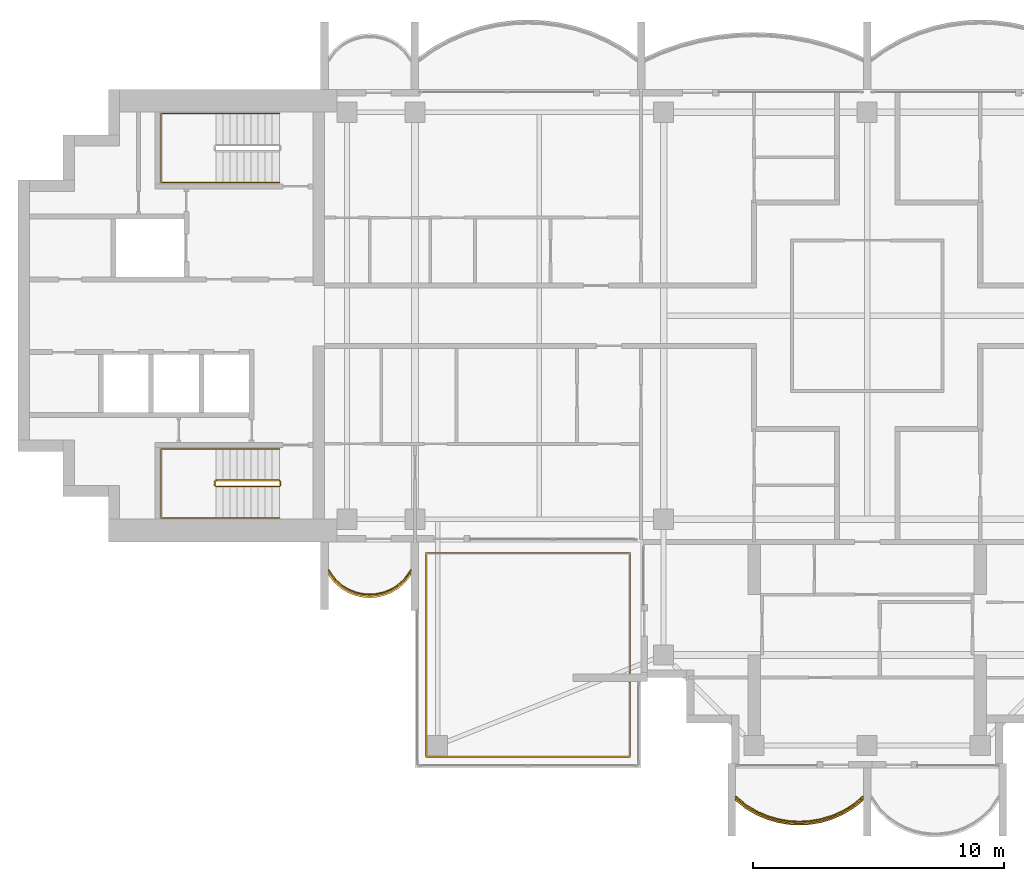
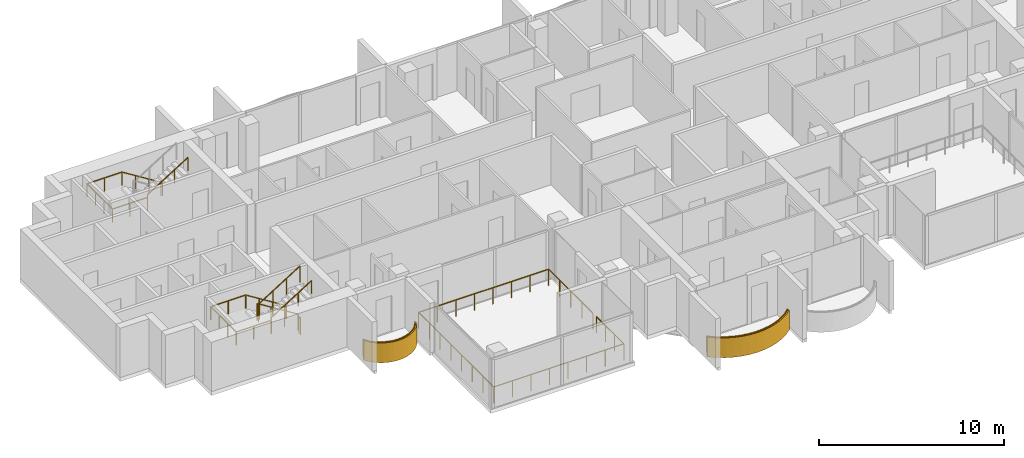
# One storey, part 13 of 16: 6 railings, 2 coverings.
"""IFC4 building model written with IfcOpenShell, lengths in metres."""

from ifc_helpers import new_model, si_unit, direction, frame, origin, origin_2d, place, context, subcontext, project, spatial, polyline, rectangle, outline, extrude, material, layer, layer_set, type_object, element, save


model = new_model("IFC4")

# Units and contexts
model_context = context("Model", 3, precision=1e-05, world=origin(), true_north=direction((0.0, 1.0)))
body_context = subcontext(model_context, "Body", "Model", "MODEL_VIEW")
ifc_project = project(units=[si_unit("LENGTHUNIT", "METRE"), si_unit("AREAUNIT", "SQUARE_METRE"), si_unit("VOLUMEUNIT", "CUBIC_METRE"), si_unit("PLANEANGLEUNIT", "RADIAN"), si_unit("MASSUNIT", "GRAM", prefix="KILO")], contexts=[model_context])

# Site, building, storey
site_placement = place(None, origin())
site = spatial("IfcSite", under=ifc_project, at=site_placement, CompositionType="ELEMENT")
building_placement = place(site_placement, origin())
building = spatial("IfcBuilding", under=site, at=building_placement, Name="Perihelion Cross Residences", CompositionType="ELEMENT")
storey_placement = place(building_placement, frame((0.0, 0.0, 243.0)))
storey = spatial("IfcBuildingStorey", under=building, at=storey_placement, Name="L61", CompositionType="ELEMENT", Elevation=243.0)

# Coverings
ifc_material_1 = material(Name="Bronze anodised aluminium", Category="aluminium")
ifc_layer = layer(ifc_material_1, 0.070068359375)
ifc_layer_set = layer_set([ifc_layer], Name="Balcony fascia 1300")
covering_type = type_object("IfcCoveringType", Name="Balcony fascia 1300", PredefinedType="CLADDING", material=ifc_layer_set)
covering_1_placement = place(storey_placement, frame((0.0, 0.0, -0.199951171875)))
element("IfcCovering", 1, at=covering_1_placement, inside=storey, type_object=covering_type, Name="Fascia BF1 L61 west side south bay 1", PredefinedType="CLADDING", context=body_context, shape_type="SweptSolid", body=[
    extrude(outline(polyline([(-21.226318359375, -10.616455078125), (-20.94091796875, -10.86328125), (-20.655517578125, -11.031494140625), (-20.370361328125, -11.142578125), (-20.085205078125, -11.206298828125), (-19.800048828125, -11.22705078125), (-19.514892578125, -11.206298828125), (-19.229736328125, -11.142578125), (-18.9443359375, -11.031494140625), (-18.6591796875, -10.86328125), (-18.373779296875, -10.616455078125), (-18.14990234375, -10.31689453125), (-18.14990234375, -10.199951171875), (-18.425048828125, -10.568603515625), (-18.699951171875, -10.806396484375), (-18.97509765625, -10.96875), (-19.25, -11.07568359375), (-19.52490234375, -11.136962890625), (-19.800048828125, -11.156982421875), (-20.074951171875, -11.136962890625), (-20.35009765625, -11.07568359375), (-20.625, -10.96875), (-20.89990234375, -10.806396484375), (-21.175048828125, -10.568603515625), (-21.449951171875, -10.199951171875), (-21.449951171875, -10.31689453125), (-21.226318359375, -10.616455078125)])), origin(), (0.0, 0.0, 1.0), 1.300048828125),
])
covering_2_placement = place(storey_placement, frame((0.0, 0.0, -0.199951171875)))
element("IfcCovering", 2, at=covering_2_placement, inside=storey, type_object=covering_type, Name="Fascia BF1 L61 south tip south bay 1", PredefinedType="CLADDING", context=body_context, shape_type="SweptSolid", body=[
    extrude(outline(polyline([(-4.86474609375, -19.59765625), (-4.431884765625, -19.85498046875), (-3.998779296875, -20.04248046875), (-3.56591796875, -20.170654296875), (-3.133056640625, -20.245361328125), (-2.699951171875, -20.27001953125), (-2.26708984375, -20.245361328125), (-1.833984375, -20.170654296875), (-1.401123046875, -20.04248046875), (-0.96826171875, -19.85498046875), (-0.53515625, -19.59765625), (-0.14990234375, -19.28955078125), (-0.14990234375, -19.199951171875), (-0.574951171875, -19.5400390625), (-1.0, -19.792724609375), (-1.425048828125, -19.9765625), (-1.85009765625, -20.1025390625), (-2.27490234375, -20.17578125), (-2.699951171875, -20.199951171875), (-3.125, -20.17578125), (-3.550048828125, -20.1025390625), (-3.97509765625, -19.9765625), (-4.39990234375, -19.792724609375), (-4.824951171875, -19.5400390625), (-5.25, -19.199951171875), (-5.25, -19.28955078125), (-4.86474609375, -19.59765625)])), origin(), (0.0, 0.0, 1.0), 1.300048828125),
])

# Railings
ifc_material_2 = material(Name="Bronze anodised aluminium", Category="aluminium")
railing_type_1 = type_object("IfcRailingType", Name="Balcony guard 1100", PredefinedType="GUARDRAIL", material=ifc_material_2)
railing_1_placement = place(storey_placement, frame((-21.425048828125, -10.139892578125, 0.0)))
element("IfcRailing", 3, at=railing_1_placement, inside=storey, type_object=railing_type_1, Name="Guard GU1 L61 west side south bay 1 balcony", PredefinedType="GUARDRAIL", context=body_context, shape_type="SweptSolid", body=[
    extrude(rectangle(XDim=0.048095703125, YDim=0.048095703125, at=origin_2d()), frame((0.0, 0.0, 1.076171875), z_axis=(0.561260132269, -0.827639452857, 0.0), x_axis=(0.827639452857, 0.561260132269, 0.0)), (0.0, 0.0, 1.0), 0.4453125),
    extrude(rectangle(XDim=0.048095703125, YDim=0.048095703125, at=origin_2d()), frame((0.25, -0.36865234375, 1.076171875), z_axis=(0.756596535164, -0.653882009982, 0.0), x_axis=(0.653882009982, 0.756596535164, 0.0)), (0.0, 0.0, 1.0), 0.36376953125),
    extrude(rectangle(XDim=0.048095703125, YDim=0.048095703125, at=origin_2d()), frame((0.525146484375, -0.6064453125, 1.076171875), z_axis=(0.861048292884, -0.508523192511, 0.0), x_axis=(0.508523192511, 0.861048292884, 0.0)), (0.0, 0.0, 1.0), 0.3193359375),
    extrude(rectangle(XDim=0.048095703125, YDim=0.048095703125, at=origin_2d()), frame((0.800048828125, -0.768798828125, 1.076171875), z_axis=(0.931973602183, -0.362526143656, 0.0), x_axis=(0.362526143656, 0.931973602183, 0.0)), (0.0, 0.0, 1.0), 0.294921875),
    extrude(rectangle(XDim=0.048095703125, YDim=0.048095703125, at=origin_2d()), frame((1.074951171875, -0.875732421875, 1.076171875), z_axis=(0.976085059389, -0.21738895289, 0.0), x_axis=(0.21738895289, 0.976085059389, 0.0)), (0.0, 0.0, 1.0), 0.281982421875),
    extrude(rectangle(XDim=0.048095703125, YDim=0.048095703125, at=origin_2d()), frame((1.35009765625, -0.93701171875, 1.076171875), z_axis=(0.997358821833, -0.072631814734, 0.0), x_axis=(0.072631814734, 0.997358821833, 0.0)), (0.0, 0.0, 1.0), 0.275634765625),
    extrude(rectangle(XDim=0.048095703125, YDim=0.048095703125, at=origin_2d()), frame((1.625, -0.95703125, 1.076171875), z_axis=(0.997363488337, 0.072567707226, 0.0), x_axis=(-0.072567707226, 0.997363488337, 0.0)), (0.0, 0.0, 1.0), 0.27587890625),
    extrude(rectangle(XDim=0.048095703125, YDim=0.048095703125, at=origin_2d()), frame((1.900146484375, -0.93701171875, 1.076171875), z_axis=(0.976044077717, 0.217572880557, 0.0), x_axis=(-0.217572880557, 0.976044077717, 0.0)), (0.0, 0.0, 1.0), 0.28173828125),
    extrude(rectangle(XDim=0.048095703125, YDim=0.048095703125, at=origin_2d()), frame((2.175048828125, -0.875732421875, 1.076171875), z_axis=(0.931973602183, 0.362526143656, 0.0), x_axis=(-0.362526143656, 0.931973602183, 0.0)), (0.0, 0.0, 1.0), 0.294921875),
    extrude(rectangle(XDim=0.048095703125, YDim=0.048095703125, at=origin_2d()), frame((2.449951171875, -0.768798828125, 1.076171875), z_axis=(0.861245845072, 0.508188542123, 0.0), x_axis=(-0.508188542123, 0.861245845072, 0.0)), (0.0, 0.0, 1.0), 0.319580078125),
    extrude(rectangle(XDim=0.048095703125, YDim=0.048095703125, at=origin_2d()), frame((2.72509765625, -0.6064453125, 1.076171875), z_axis=(0.756309278473, 0.654214242658, 0.0), x_axis=(-0.654214242658, 0.756309278473, 0.0)), (0.0, 0.0, 1.0), 0.363525390625),
    extrude(rectangle(XDim=0.048095703125, YDim=0.048095703125, at=origin_2d()), frame((3.0, -0.36865234375, 1.076171875), z_axis=(0.561260132269, 0.827639452857, 0.0), x_axis=(-0.827639452857, 0.561260132269, 0.0)), (0.0, 0.0, 1.0), 0.4453125),
    extrude(rectangle(XDim=0.0419921875, YDim=0.0419921875, at=origin_2d()), origin(), (0.0, 0.0, 1.0), 1.052001953125),
    extrude(rectangle(XDim=0.0419921875, YDim=0.0419921875, at=origin_2d()), frame((0.25, -0.36865234375, 0.0)), (0.0, 0.0, 1.0), 1.052001953125),
    extrude(rectangle(XDim=0.0419921875, YDim=0.0419921875, at=origin_2d()), frame((0.525146484375, -0.6064453125, 0.0)), (0.0, 0.0, 1.0), 1.052001953125),
    extrude(rectangle(XDim=0.0419921875, YDim=0.0419921875, at=origin_2d()), frame((0.800048828125, -0.768798828125, 0.0)), (0.0, 0.0, 1.0), 1.052001953125),
    extrude(rectangle(XDim=0.0419921875, YDim=0.0419921875, at=origin_2d()), frame((1.074951171875, -0.875732421875, 0.0)), (0.0, 0.0, 1.0), 1.052001953125),
    extrude(rectangle(XDim=0.0419921875, YDim=0.0419921875, at=origin_2d()), frame((1.35009765625, -0.93701171875, 0.0)), (0.0, 0.0, 1.0), 1.052001953125),
    extrude(rectangle(XDim=0.0419921875, YDim=0.0419921875, at=origin_2d()), frame((1.625, -0.95703125, 0.0)), (0.0, 0.0, 1.0), 1.052001953125),
    extrude(rectangle(XDim=0.0419921875, YDim=0.0419921875, at=origin_2d()), frame((1.900146484375, -0.93701171875, 0.0)), (0.0, 0.0, 1.0), 1.052001953125),
    extrude(rectangle(XDim=0.0419921875, YDim=0.0419921875, at=origin_2d()), frame((2.175048828125, -0.875732421875, 0.0)), (0.0, 0.0, 1.0), 1.052001953125),
    extrude(rectangle(XDim=0.0419921875, YDim=0.0419921875, at=origin_2d()), frame((2.449951171875, -0.768798828125, 0.0)), (0.0, 0.0, 1.0), 1.052001953125),
    extrude(rectangle(XDim=0.0419921875, YDim=0.0419921875, at=origin_2d()), frame((2.72509765625, -0.6064453125, 0.0)), (0.0, 0.0, 1.0), 1.052001953125),
    extrude(rectangle(XDim=0.0419921875, YDim=0.0419921875, at=origin_2d()), frame((3.0, -0.36865234375, 0.0)), (0.0, 0.0, 1.0), 1.052001953125),
    extrude(rectangle(XDim=0.0419921875, YDim=0.0419921875, at=origin_2d()), frame((3.25, 0.0, 0.0)), (0.0, 0.0, 1.0), 1.052001953125),
])
railing_2_placement = place(storey_placement, frame((-5.22509765625, -19.139892578125, 0.0)))
element("IfcRailing", 4, at=railing_2_placement, inside=storey, type_object=railing_type_1, Name="Guard GU1 L61 south tip south bay 1 balcony", PredefinedType="GUARDRAIL", context=body_context, shape_type="SweptSolid", body=[
    extrude(rectangle(XDim=0.048095703125, YDim=0.048095703125, at=origin_2d()), frame((0.0, 0.0, 1.076171875), z_axis=(0.761973728849, -0.647607934281, 0.0), x_axis=(0.647607934281, 0.761973728849, 0.0)), (0.0, 0.0, 1.0), 0.525146484375),
    extrude(rectangle(XDim=0.048095703125, YDim=0.048095703125, at=origin_2d()), frame((0.400146484375, -0.340087890625, 1.076171875), z_axis=(0.859576918062, -0.511006381501, 0.0), x_axis=(0.511006381501, 0.859576918062, 0.0)), (0.0, 0.0, 1.0), 0.494384765625),
    extrude(rectangle(XDim=0.048095703125, YDim=0.048095703125, at=origin_2d()), frame((0.8251953125, -0.5927734375, 1.076171875), z_axis=(0.91755562531, -0.397607437634, 0.0), x_axis=(0.397607437634, 0.91755562531, 0.0)), (0.0, 0.0, 1.0), 0.462890625),
    extrude(rectangle(XDim=0.048095703125, YDim=0.048095703125, at=origin_2d()), frame((1.25, -0.77685546875, 1.076171875), z_axis=(0.958925815697, -0.283656975924, 0.0), x_axis=(0.283656975924, 0.958925815697, 0.0)), (0.0, 0.0, 1.0), 0.443359375),
    extrude(rectangle(XDim=0.048095703125, YDim=0.048095703125, at=origin_2d()), frame((1.675048828125, -0.902587890625, 1.076171875), z_axis=(0.985381583142, -0.17036177859, 0.0), x_axis=(0.17036177859, 0.985381583142, 0.0)), (0.0, 0.0, 1.0), 0.431396484375),
    extrude(rectangle(XDim=0.048095703125, YDim=0.048095703125, at=origin_2d()), frame((2.10009765625, -0.97607421875, 1.076171875), z_axis=(0.9984195016, -0.056200523353, 0.0), x_axis=(0.056200523353, 0.9984195016, 0.0)), (0.0, 0.0, 1.0), 0.42578125),
    extrude(rectangle(XDim=0.048095703125, YDim=0.048095703125, at=origin_2d()), frame((2.525146484375, -1.0, 1.076171875), z_axis=(0.9984195016, 0.056200523353, 0.0), x_axis=(-0.056200523353, 0.9984195016, 0.0)), (0.0, 0.0, 1.0), 0.42578125),
    extrude(rectangle(XDim=0.048095703125, YDim=0.048095703125, at=origin_2d()), frame((2.9501953125, -0.97607421875, 1.076171875), z_axis=(0.985365142702, 0.170456843651, 0.0), x_axis=(-0.170456843651, 0.985365142702, 0.0)), (0.0, 0.0, 1.0), 0.43115234375),
    extrude(rectangle(XDim=0.048095703125, YDim=0.048095703125, at=origin_2d()), frame((3.375, -0.902587890625, 1.076171875), z_axis=(0.958925815697, 0.283656975924, 0.0), x_axis=(-0.283656975924, 0.958925815697, 0.0)), (0.0, 0.0, 1.0), 0.443359375),
    extrude(rectangle(XDim=0.048095703125, YDim=0.048095703125, at=origin_2d()), frame((3.800048828125, -0.77685546875, 1.076171875), z_axis=(0.917638931453, 0.397415137459, 0.0), x_axis=(-0.397415137459, 0.917638931453, 0.0)), (0.0, 0.0, 1.0), 0.463134765625),
    extrude(rectangle(XDim=0.048095703125, YDim=0.048095703125, at=origin_2d()), frame((4.22509765625, -0.5927734375, 1.076171875), z_axis=(0.859576918062, 0.511006381501, 0.0), x_axis=(-0.511006381501, 0.859576918062, 0.0)), (0.0, 0.0, 1.0), 0.494384765625),
    extrude(rectangle(XDim=0.048095703125, YDim=0.048095703125, at=origin_2d()), frame((4.650146484375, -0.340087890625, 1.076171875), z_axis=(0.761778647315, 0.647837396648, 0.0), x_axis=(-0.647837396648, 0.761778647315, 0.0)), (0.0, 0.0, 1.0), 0.52490234375),
    extrude(rectangle(XDim=0.0419921875, YDim=0.0419921875, at=origin_2d()), origin(), (0.0, 0.0, 1.0), 1.052001953125),
    extrude(rectangle(XDim=0.0419921875, YDim=0.0419921875, at=origin_2d()), frame((0.400146484375, -0.340087890625, 0.0)), (0.0, 0.0, 1.0), 1.052001953125),
    extrude(rectangle(XDim=0.0419921875, YDim=0.0419921875, at=origin_2d()), frame((0.8251953125, -0.5927734375, 0.0)), (0.0, 0.0, 1.0), 1.052001953125),
    extrude(rectangle(XDim=0.0419921875, YDim=0.0419921875, at=origin_2d()), frame((1.25, -0.77685546875, 0.0)), (0.0, 0.0, 1.0), 1.052001953125),
    extrude(rectangle(XDim=0.0419921875, YDim=0.0419921875, at=origin_2d()), frame((1.675048828125, -0.902587890625, 0.0)), (0.0, 0.0, 1.0), 1.052001953125),
    extrude(rectangle(XDim=0.0419921875, YDim=0.0419921875, at=origin_2d()), frame((2.10009765625, -0.97607421875, 0.0)), (0.0, 0.0, 1.0), 1.052001953125),
    extrude(rectangle(XDim=0.0419921875, YDim=0.0419921875, at=origin_2d()), frame((2.525146484375, -1.0, 0.0)), (0.0, 0.0, 1.0), 1.052001953125),
    extrude(rectangle(XDim=0.0419921875, YDim=0.0419921875, at=origin_2d()), frame((2.9501953125, -0.97607421875, 0.0)), (0.0, 0.0, 1.0), 1.052001953125),
    extrude(rectangle(XDim=0.0419921875, YDim=0.0419921875, at=origin_2d()), frame((3.375, -0.902587890625, 0.0)), (0.0, 0.0, 1.0), 1.052001953125),
    extrude(rectangle(XDim=0.0419921875, YDim=0.0419921875, at=origin_2d()), frame((3.800048828125, -0.77685546875, 0.0)), (0.0, 0.0, 1.0), 1.052001953125),
    extrude(rectangle(XDim=0.0419921875, YDim=0.0419921875, at=origin_2d()), frame((4.22509765625, -0.5927734375, 0.0)), (0.0, 0.0, 1.0), 1.052001953125),
    extrude(rectangle(XDim=0.0419921875, YDim=0.0419921875, at=origin_2d()), frame((4.650146484375, -0.340087890625, 0.0)), (0.0, 0.0, 1.0), 1.052001953125),
    extrude(rectangle(XDim=0.0419921875, YDim=0.0419921875, at=origin_2d()), frame((5.050048828125, 0.0, 0.0)), (0.0, 0.0, 1.0), 1.052001953125),
])
railing_3_placement = place(storey_placement, frame((-9.449951171875, -14.590087890625, 0.0)))
element("IfcRailing", 5, at=railing_3_placement, inside=storey, type_object=railing_type_1, Name="Guard GU1 L61 pocket south-west 1", PredefinedType="GUARDRAIL", context=body_context, shape_type="SweptSolid", body=[
    extrude(rectangle(XDim=0.048095703125, YDim=0.048095703125, at=origin_2d()), frame((0.0, 0.0, 1.076171875), z_axis=(0.0, -1.0, 0.0), x_axis=(1.0, 0.0, 0.0)), (0.0, 0.0, 1.0), 2.9599609375),
    extrude(rectangle(XDim=0.048095703125, YDim=0.048095703125, at=origin_2d()), frame((0.0, -2.9599609375, 1.076171875), z_axis=(-1.0, 0.0, 0.0), x_axis=(0.0, -1.0, 0.0)), (0.0, 0.0, 1.0), 8.10009765625),
    extrude(rectangle(XDim=0.048095703125, YDim=0.048095703125, at=origin_2d()), frame((-8.10009765625, -2.9599609375, 1.076171875), z_axis=(0.0, 1.0, 0.0), x_axis=(-1.0, 0.0, 0.0)), (0.0, 0.0, 1.0), 8.10009765625),
    extrude(rectangle(XDim=0.048095703125, YDim=0.048095703125, at=origin_2d()), frame((-8.10009765625, 5.14013671875, 1.076171875), z_axis=(1.0, 0.0, 0.0), x_axis=(0.0, 1.0, 0.0)), (0.0, 0.0, 1.0), 8.10009765625),
    extrude(rectangle(XDim=0.048095703125, YDim=0.048095703125, at=origin_2d()), frame((0.0, 5.14013671875, 1.076171875), z_axis=(0.0, -1.0, 0.0), x_axis=(1.0, 0.0, 0.0)), (0.0, 0.0, 1.0), 4.760009765625),
    extrude(rectangle(XDim=0.0419921875, YDim=0.0419921875, at=origin_2d()), origin(), (0.0, 0.0, 1.0), 1.052001953125),
    extrude(rectangle(XDim=0.0419921875, YDim=0.0419921875, at=origin_2d()), frame((0.0, -0.986572265625, 0.0)), (0.0, 0.0, 1.0), 1.052001953125),
    extrude(rectangle(XDim=0.0419921875, YDim=0.0419921875, at=origin_2d()), frame((0.0, -1.973388671875, 0.0)), (0.0, 0.0, 1.0), 1.052001953125),
    extrude(rectangle(XDim=0.0419921875, YDim=0.0419921875, at=origin_2d()), frame((0.0, -2.9599609375, 0.0)), (0.0, 0.0, 1.0), 1.052001953125),
    extrude(rectangle(XDim=0.0419921875, YDim=0.0419921875, at=origin_2d()), frame((-1.1572265625, -2.9599609375, 0.0)), (0.0, 0.0, 1.0), 1.052001953125),
    extrude(rectangle(XDim=0.0419921875, YDim=0.0419921875, at=origin_2d()), frame((-2.314208984375, -2.9599609375, 0.0)), (0.0, 0.0, 1.0), 1.052001953125),
    extrude(rectangle(XDim=0.0419921875, YDim=0.0419921875, at=origin_2d()), frame((-3.471435546875, -2.9599609375, 0.0)), (0.0, 0.0, 1.0), 1.052001953125),
    extrude(rectangle(XDim=0.0419921875, YDim=0.0419921875, at=origin_2d()), frame((-4.628662109375, -2.9599609375, 0.0)), (0.0, 0.0, 1.0), 1.052001953125),
    extrude(rectangle(XDim=0.0419921875, YDim=0.0419921875, at=origin_2d()), frame((-5.785888671875, -2.9599609375, 0.0)), (0.0, 0.0, 1.0), 1.052001953125),
    extrude(rectangle(XDim=0.0419921875, YDim=0.0419921875, at=origin_2d()), frame((-6.94287109375, -2.9599609375, 0.0)), (0.0, 0.0, 1.0), 1.052001953125),
    extrude(rectangle(XDim=0.0419921875, YDim=0.0419921875, at=origin_2d()), frame((-8.10009765625, -2.9599609375, 0.0)), (0.0, 0.0, 1.0), 1.052001953125),
    extrude(rectangle(XDim=0.0419921875, YDim=0.0419921875, at=origin_2d()), frame((-8.10009765625, -1.802734375, 0.0)), (0.0, 0.0, 1.0), 1.052001953125),
    extrude(rectangle(XDim=0.0419921875, YDim=0.0419921875, at=origin_2d()), frame((-8.10009765625, -0.645751953125, 0.0)), (0.0, 0.0, 1.0), 1.052001953125),
    extrude(rectangle(XDim=0.0419921875, YDim=0.0419921875, at=origin_2d()), frame((-8.10009765625, 0.511474609375, 0.0)), (0.0, 0.0, 1.0), 1.052001953125),
    extrude(rectangle(XDim=0.0419921875, YDim=0.0419921875, at=origin_2d()), frame((-8.10009765625, 1.668701171875, 0.0)), (0.0, 0.0, 1.0), 1.052001953125),
    extrude(rectangle(XDim=0.0419921875, YDim=0.0419921875, at=origin_2d()), frame((-8.10009765625, 2.825927734375, 0.0)), (0.0, 0.0, 1.0), 1.052001953125),
    extrude(rectangle(XDim=0.0419921875, YDim=0.0419921875, at=origin_2d()), frame((-8.10009765625, 3.98291015625, 0.0)), (0.0, 0.0, 1.0), 1.052001953125),
    extrude(rectangle(XDim=0.0419921875, YDim=0.0419921875, at=origin_2d()), frame((-8.10009765625, 5.14013671875, 0.0)), (0.0, 0.0, 1.0), 1.052001953125),
    extrude(rectangle(XDim=0.0419921875, YDim=0.0419921875, at=origin_2d()), frame((-6.94287109375, 5.14013671875, 0.0)), (0.0, 0.0, 1.0), 1.052001953125),
    extrude(rectangle(XDim=0.0419921875, YDim=0.0419921875, at=origin_2d()), frame((-5.785888671875, 5.14013671875, 0.0)), (0.0, 0.0, 1.0), 1.052001953125),
    extrude(rectangle(XDim=0.0419921875, YDim=0.0419921875, at=origin_2d()), frame((-4.628662109375, 5.14013671875, 0.0)), (0.0, 0.0, 1.0), 1.052001953125),
    extrude(rectangle(XDim=0.0419921875, YDim=0.0419921875, at=origin_2d()), frame((-3.471435546875, 5.14013671875, 0.0)), (0.0, 0.0, 1.0), 1.052001953125),
    extrude(rectangle(XDim=0.0419921875, YDim=0.0419921875, at=origin_2d()), frame((-2.314208984375, 5.14013671875, 0.0)), (0.0, 0.0, 1.0), 1.052001953125),
    extrude(rectangle(XDim=0.0419921875, YDim=0.0419921875, at=origin_2d()), frame((-1.1572265625, 5.14013671875, 0.0)), (0.0, 0.0, 1.0), 1.052001953125),
    extrude(rectangle(XDim=0.0419921875, YDim=0.0419921875, at=origin_2d()), frame((0.0, 5.14013671875, 0.0)), (0.0, 0.0, 1.0), 1.052001953125),
    extrude(rectangle(XDim=0.0419921875, YDim=0.0419921875, at=origin_2d()), frame((0.0, 3.9501953125, 0.0)), (0.0, 0.0, 1.0), 1.052001953125),
    extrude(rectangle(XDim=0.0419921875, YDim=0.0419921875, at=origin_2d()), frame((0.0, 2.76025390625, 0.0)), (0.0, 0.0, 1.0), 1.052001953125),
    extrude(rectangle(XDim=0.0419921875, YDim=0.0419921875, at=origin_2d()), frame((0.0, 1.570068359375, 0.0)), (0.0, 0.0, 1.0), 1.052001953125),
    extrude(rectangle(XDim=0.0419921875, YDim=0.0419921875, at=origin_2d()), frame((0.0, 0.380126953125, 0.0)), (0.0, 0.0, 1.0), 1.052001953125),
])
ifc_material_3 = material(Name="Stainless steel", Category="steel")
railing_type_2 = type_object("IfcRailingType", Name="Stair guard 1100", PredefinedType="GUARDRAIL", material=ifc_material_3)
railing_4_placement = place(storey_placement, frame((-23.35009765625, -6.75, 0.0)))
element("IfcRailing", 6, at=railing_4_placement, inside=storey, type_object=railing_type_2, Name="L61 ST-W2 stair guard 1", PredefinedType="GUARDRAIL", context=body_context, shape_type="SweptSolid", body=[
    extrude(rectangle(XDim=0.048095703125, YDim=0.048095703125, at=origin_2d()), frame((0.0, 0.0, 1.076171875), z_axis=(0.0, 1.0, 0.0), x_axis=(-1.0, 0.0, 0.0)), (0.0, 0.0, 1.0), 0.14990234375),
    extrude(rectangle(XDim=0.048095703125, YDim=0.048095703125, at=origin_2d()), frame((0.0, 0.14990234375, 1.076171875), z_axis=(-0.263862480399, 0.265155923931, 0.927399011991), x_axis=(-0.708833529934, -0.705375805398, 0.0)), (0.0, 0.0, 1.0), 0.188720703125),
    extrude(rectangle(XDim=0.048095703125, YDim=0.048095703125, at=origin_2d()), frame((-0.0498046875, 0.199951171875, 1.2509765625), z_axis=(-0.848007534815, 0.0, 0.529984170421), x_axis=(0.0, -1.0, 0.0)), (0.0, 0.0, 1.0), 2.9716796875),
    extrude(rectangle(XDim=0.048095703125, YDim=0.048095703125, at=origin_2d()), frame((-2.56982421875, 0.199951171875, 2.826171875), z_axis=(-0.707106781187, -0.707106781187, 0.0), x_axis=(0.707106781187, -0.707106781187, 0.0)), (0.0, 0.0, 1.0), 0.07080078125),
    extrude(rectangle(XDim=0.048095703125, YDim=0.048095703125, at=origin_2d()), frame((-2.619873046875, 0.14990234375, 2.826171875), z_axis=(0.0, -1.0, 0.0), x_axis=(1.0, 0.0, 0.0)), (0.0, 0.0, 1.0), 0.14990234375),
    extrude(rectangle(XDim=0.048095703125, YDim=0.048095703125, at=origin_2d()), frame((-2.619873046875, 0.0, 2.826171875), z_axis=(0.265065253269, -0.265065253269, 0.927081885822), x_axis=(0.707106781187, 0.707106781187, 0.0)), (0.0, 0.0, 1.0), 0.188720703125),
    extrude(rectangle(XDim=0.048095703125, YDim=0.048095703125, at=origin_2d()), frame((-2.56982421875, -0.050048828125, 3.0009765625), z_axis=(0.848007534815, 0.0, 0.529984170421), x_axis=(0.0, 1.0, 0.0)), (0.0, 0.0, 1.0), 2.9716796875),
    extrude(rectangle(XDim=0.0419921875, YDim=0.0419921875, at=origin_2d()), origin(), (0.0, 0.0, 1.0), 1.052001953125),
    extrude(rectangle(XDim=0.0419921875, YDim=0.0419921875, at=origin_2d()), frame((0.0, 0.14990234375, 0.0)), (0.0, 0.0, 1.0), 1.052001953125),
    extrude(rectangle(XDim=0.0419921875, YDim=0.0419921875, at=origin_2d()), frame((-0.0498046875, 0.199951171875, 0.175048828125)), (0.0, 0.0, 1.0), 1.052001953125),
    extrude(rectangle(XDim=0.0419921875, YDim=0.0419921875, at=origin_2d()), frame((-0.889892578125, 0.199951171875, 0.699951171875)), (0.0, 0.0, 1.0), 1.052001953125),
    extrude(rectangle(XDim=0.0419921875, YDim=0.0419921875, at=origin_2d()), frame((-1.729736328125, 0.199951171875, 1.22509765625)), (0.0, 0.0, 1.0), 1.052001953125),
    extrude(rectangle(XDim=0.0419921875, YDim=0.0419921875, at=origin_2d()), frame((-2.56982421875, 0.199951171875, 1.75)), (0.0, 0.0, 1.0), 1.052001953125),
    extrude(rectangle(XDim=0.0419921875, YDim=0.0419921875, at=origin_2d()), frame((-2.619873046875, 0.14990234375, 1.75)), (0.0, 0.0, 1.0), 1.052001953125),
    extrude(rectangle(XDim=0.0419921875, YDim=0.0419921875, at=origin_2d()), frame((-2.619873046875, 0.0, 1.75)), (0.0, 0.0, 1.0), 1.052001953125),
    extrude(rectangle(XDim=0.0419921875, YDim=0.0419921875, at=origin_2d()), frame((-2.56982421875, -0.050048828125, 1.925048828125)), (0.0, 0.0, 1.0), 1.052001953125),
    extrude(rectangle(XDim=0.0419921875, YDim=0.0419921875, at=origin_2d()), frame((-1.729736328125, -0.050048828125, 2.449951171875)), (0.0, 0.0, 1.0), 1.052001953125),
    extrude(rectangle(XDim=0.0419921875, YDim=0.0419921875, at=origin_2d()), frame((-0.889892578125, -0.050048828125, 2.97509765625)), (0.0, 0.0, 1.0), 1.052001953125),
    extrude(rectangle(XDim=0.0419921875, YDim=0.0419921875, at=origin_2d()), frame((-0.0498046875, -0.050048828125, 3.5)), (0.0, 0.0, 1.0), 1.052001953125),
])
ifc_material_4 = material(Name="Stainless steel", Category="steel")
railing_type_3 = type_object("IfcRailingType", Name="Stair handrail 900", PredefinedType="HANDRAIL", material=ifc_material_4)
railing_5_placement = place(storey_placement, frame((-23.39990234375, 8.050048828125, 0.175048828125)))
element("IfcRailing", 7, at=railing_5_placement, inside=storey, type_object=railing_type_3, Name="L61 ST-W1 stair handrail 1", PredefinedType="HANDRAIL", context=body_context, shape_type="SweptSolid", body=[
    extrude(rectangle(XDim=0.048095703125, YDim=0.048095703125, at=origin_2d()), frame((0.0, 0.0, 0.8759765625), z_axis=(-0.848007534815, 0.0, 0.529984170421), x_axis=(0.0, -1.0, 0.0)), (0.0, 0.0, 1.0), 2.9716796875),
    extrude(rectangle(XDim=0.048095703125, YDim=0.048095703125, at=origin_2d()), frame((-2.52001953125, 0.0, 2.45068359375), z_axis=(-1.0, 0.0, 0.0), x_axis=(0.0, -1.0, 0.0)), (0.0, 0.0, 1.0), 2.18017578125),
    extrude(rectangle(XDim=0.048095703125, YDim=0.048095703125, at=origin_2d()), frame((-4.7001953125, 0.0, 2.45068359375), z_axis=(0.0, -1.0, 0.0), x_axis=(1.0, 0.0, 0.0)), (0.0, 0.0, 1.0), 2.75),
    extrude(rectangle(XDim=0.048095703125, YDim=0.048095703125, at=origin_2d()), frame((-4.7001953125, -2.75, 2.45068359375), z_axis=(1.0, 0.0, 0.0), x_axis=(0.0, 1.0, 0.0)), (0.0, 0.0, 1.0), 2.18017578125),
    extrude(rectangle(XDim=0.048095703125, YDim=0.048095703125, at=origin_2d()), frame((-2.52001953125, -2.75, 2.45068359375), z_axis=(0.0, 0.0, 1.0), x_axis=(1.0, 0.0, 0.0)), (0.0, 0.0, 1.0), 0.175048828125),
    extrude(rectangle(XDim=0.048095703125, YDim=0.048095703125, at=origin_2d()), frame((-2.52001953125, -2.75, 2.6259765625), z_axis=(0.848007534815, 0.0, 0.529984170421), x_axis=(0.0, 1.0, 0.0)), (0.0, 0.0, 1.0), 2.9716796875),
    extrude(rectangle(XDim=0.0419921875, YDim=0.0419921875, at=origin_2d()), origin(), (0.0, 0.0, 1.0), 0.851806640625),
    extrude(rectangle(XDim=0.0419921875, YDim=0.0419921875, at=origin_2d()), frame((-0.840087890625, 0.0, 0.52490234375)), (0.0, 0.0, 1.0), 0.851806640625),
    extrude(rectangle(XDim=0.0419921875, YDim=0.0419921875, at=origin_2d()), frame((-1.679931640625, 0.0, 1.050048828125)), (0.0, 0.0, 1.0), 0.851806640625),
    extrude(rectangle(XDim=0.0419921875, YDim=0.0419921875, at=origin_2d()), frame((-2.52001953125, 0.0, 1.574951171875)), (0.0, 0.0, 1.0), 0.851806640625),
    extrude(rectangle(XDim=0.0419921875, YDim=0.0419921875, at=origin_2d()), frame((-3.610107421875, 0.0, 1.574951171875)), (0.0, 0.0, 1.0), 0.851806640625),
    extrude(rectangle(XDim=0.0419921875, YDim=0.0419921875, at=origin_2d()), frame((-4.7001953125, 0.0, 1.574951171875)), (0.0, 0.0, 1.0), 0.851806640625),
    extrude(rectangle(XDim=0.0419921875, YDim=0.0419921875, at=origin_2d()), frame((-4.7001953125, -0.916748046875, 1.574951171875)), (0.0, 0.0, 1.0), 0.851806640625),
    extrude(rectangle(XDim=0.0419921875, YDim=0.0419921875, at=origin_2d()), frame((-4.7001953125, -1.833251953125, 1.574951171875)), (0.0, 0.0, 1.0), 0.851806640625),
    extrude(rectangle(XDim=0.0419921875, YDim=0.0419921875, at=origin_2d()), frame((-4.7001953125, -2.75, 1.574951171875)), (0.0, 0.0, 1.0), 0.851806640625),
    extrude(rectangle(XDim=0.0419921875, YDim=0.0419921875, at=origin_2d()), frame((-3.610107421875, -2.75, 1.574951171875)), (0.0, 0.0, 1.0), 0.851806640625),
    extrude(rectangle(XDim=0.0419921875, YDim=0.0419921875, at=origin_2d()), frame((-2.52001953125, -2.75, 1.574951171875)), (0.0, 0.0, 1.0), 0.851806640625),
    extrude(rectangle(XDim=0.0419921875, YDim=0.0419921875, at=origin_2d()), frame((-2.52001953125, -2.75, 1.75)), (0.0, 0.0, 1.0), 0.851806640625),
    extrude(rectangle(XDim=0.0419921875, YDim=0.0419921875, at=origin_2d()), frame((-1.679931640625, -2.75, 2.27490234375)), (0.0, 0.0, 1.0), 0.851806640625),
    extrude(rectangle(XDim=0.0419921875, YDim=0.0419921875, at=origin_2d()), frame((-0.840087890625, -2.75, 2.800048828125)), (0.0, 0.0, 1.0), 0.851806640625),
    extrude(rectangle(XDim=0.0419921875, YDim=0.0419921875, at=origin_2d()), frame((0.0, -2.75, 3.324951171875)), (0.0, 0.0, 1.0), 0.851806640625),
])
railing_6_placement = place(storey_placement, frame((-23.39990234375, -5.300048828125, 0.175048828125)))
element("IfcRailing", 8, at=railing_6_placement, inside=storey, type_object=railing_type_3, Name="L61 ST-W2 stair handrail 1", PredefinedType="HANDRAIL", context=body_context, shape_type="SweptSolid", body=[
    extrude(rectangle(XDim=0.048095703125, YDim=0.048095703125, at=origin_2d()), frame((0.0, 0.0, 0.8759765625), z_axis=(-0.848007534815, 0.0, 0.529984170421), x_axis=(0.0, -1.0, 0.0)), (0.0, 0.0, 1.0), 2.9716796875),
    extrude(rectangle(XDim=0.048095703125, YDim=0.048095703125, at=origin_2d()), frame((-2.52001953125, 0.0, 2.45068359375), z_axis=(-1.0, 0.0, 0.0), x_axis=(0.0, -1.0, 0.0)), (0.0, 0.0, 1.0), 2.18017578125),
    extrude(rectangle(XDim=0.048095703125, YDim=0.048095703125, at=origin_2d()), frame((-4.7001953125, 0.0, 2.45068359375), z_axis=(0.0, -1.0, 0.0), x_axis=(1.0, 0.0, 0.0)), (0.0, 0.0, 1.0), 2.75),
    extrude(rectangle(XDim=0.048095703125, YDim=0.048095703125, at=origin_2d()), frame((-4.7001953125, -2.75, 2.45068359375), z_axis=(1.0, 0.0, 0.0), x_axis=(0.0, 1.0, 0.0)), (0.0, 0.0, 1.0), 2.18017578125),
    extrude(rectangle(XDim=0.048095703125, YDim=0.048095703125, at=origin_2d()), frame((-2.52001953125, -2.75, 2.45068359375), z_axis=(0.0, 0.0, 1.0), x_axis=(1.0, 0.0, 0.0)), (0.0, 0.0, 1.0), 0.175048828125),
    extrude(rectangle(XDim=0.048095703125, YDim=0.048095703125, at=origin_2d()), frame((-2.52001953125, -2.75, 2.6259765625), z_axis=(0.848007534815, 0.0, 0.529984170421), x_axis=(0.0, 1.0, 0.0)), (0.0, 0.0, 1.0), 2.9716796875),
    extrude(rectangle(XDim=0.0419921875, YDim=0.0419921875, at=origin_2d()), origin(), (0.0, 0.0, 1.0), 0.851806640625),
    extrude(rectangle(XDim=0.0419921875, YDim=0.0419921875, at=origin_2d()), frame((-0.840087890625, 0.0, 0.52490234375)), (0.0, 0.0, 1.0), 0.851806640625),
    extrude(rectangle(XDim=0.0419921875, YDim=0.0419921875, at=origin_2d()), frame((-1.679931640625, 0.0, 1.050048828125)), (0.0, 0.0, 1.0), 0.851806640625),
    extrude(rectangle(XDim=0.0419921875, YDim=0.0419921875, at=origin_2d()), frame((-2.52001953125, 0.0, 1.574951171875)), (0.0, 0.0, 1.0), 0.851806640625),
    extrude(rectangle(XDim=0.0419921875, YDim=0.0419921875, at=origin_2d()), frame((-3.610107421875, 0.0, 1.574951171875)), (0.0, 0.0, 1.0), 0.851806640625),
    extrude(rectangle(XDim=0.0419921875, YDim=0.0419921875, at=origin_2d()), frame((-4.7001953125, 0.0, 1.574951171875)), (0.0, 0.0, 1.0), 0.851806640625),
    extrude(rectangle(XDim=0.0419921875, YDim=0.0419921875, at=origin_2d()), frame((-4.7001953125, -0.916748046875, 1.574951171875)), (0.0, 0.0, 1.0), 0.851806640625),
    extrude(rectangle(XDim=0.0419921875, YDim=0.0419921875, at=origin_2d()), frame((-4.7001953125, -1.833251953125, 1.574951171875)), (0.0, 0.0, 1.0), 0.851806640625),
    extrude(rectangle(XDim=0.0419921875, YDim=0.0419921875, at=origin_2d()), frame((-4.7001953125, -2.75, 1.574951171875)), (0.0, 0.0, 1.0), 0.851806640625),
    extrude(rectangle(XDim=0.0419921875, YDim=0.0419921875, at=origin_2d()), frame((-3.610107421875, -2.75, 1.574951171875)), (0.0, 0.0, 1.0), 0.851806640625),
    extrude(rectangle(XDim=0.0419921875, YDim=0.0419921875, at=origin_2d()), frame((-2.52001953125, -2.75, 1.574951171875)), (0.0, 0.0, 1.0), 0.851806640625),
    extrude(rectangle(XDim=0.0419921875, YDim=0.0419921875, at=origin_2d()), frame((-2.52001953125, -2.75, 1.75)), (0.0, 0.0, 1.0), 0.851806640625),
    extrude(rectangle(XDim=0.0419921875, YDim=0.0419921875, at=origin_2d()), frame((-1.679931640625, -2.75, 2.27490234375)), (0.0, 0.0, 1.0), 0.851806640625),
    extrude(rectangle(XDim=0.0419921875, YDim=0.0419921875, at=origin_2d()), frame((-0.840087890625, -2.75, 2.800048828125)), (0.0, 0.0, 1.0), 0.851806640625),
    extrude(rectangle(XDim=0.0419921875, YDim=0.0419921875, at=origin_2d()), frame((0.0, -2.75, 3.324951171875)), (0.0, 0.0, 1.0), 0.851806640625),
])

save(model, "model.ifc")
